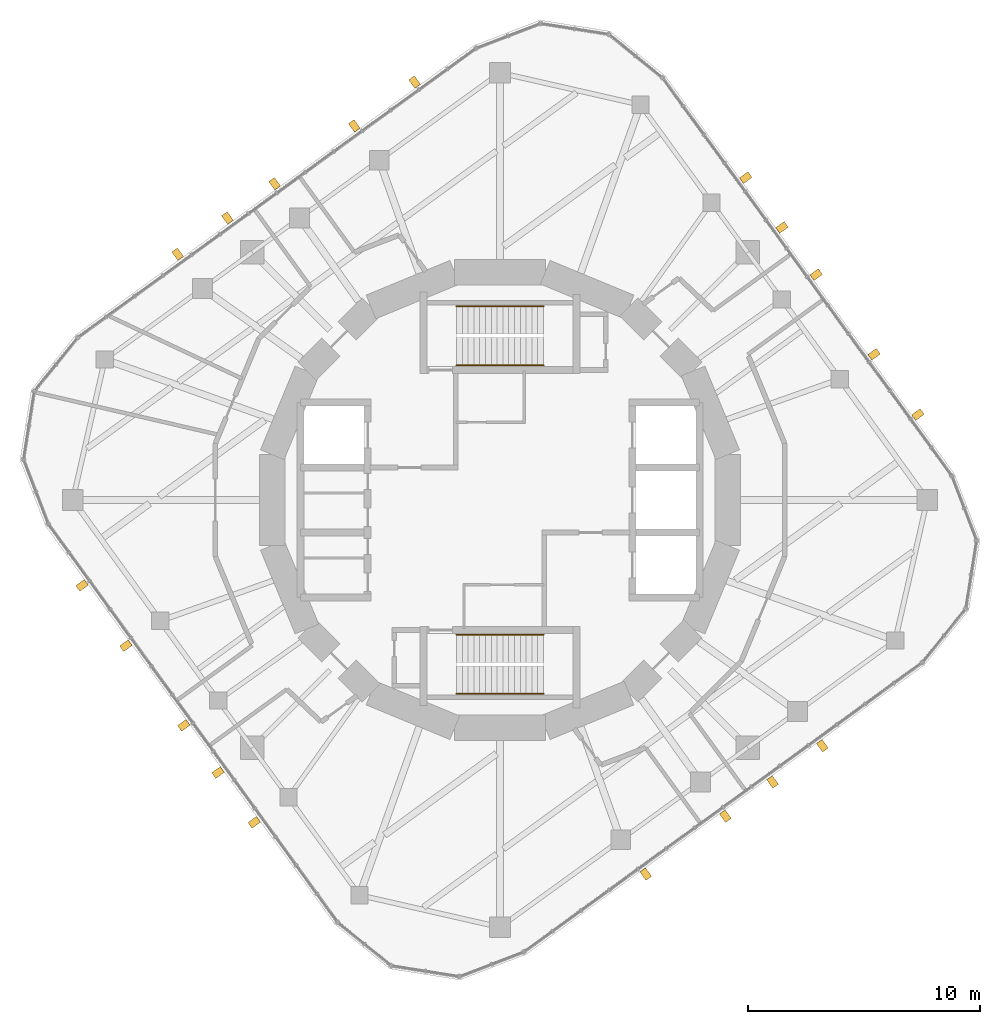
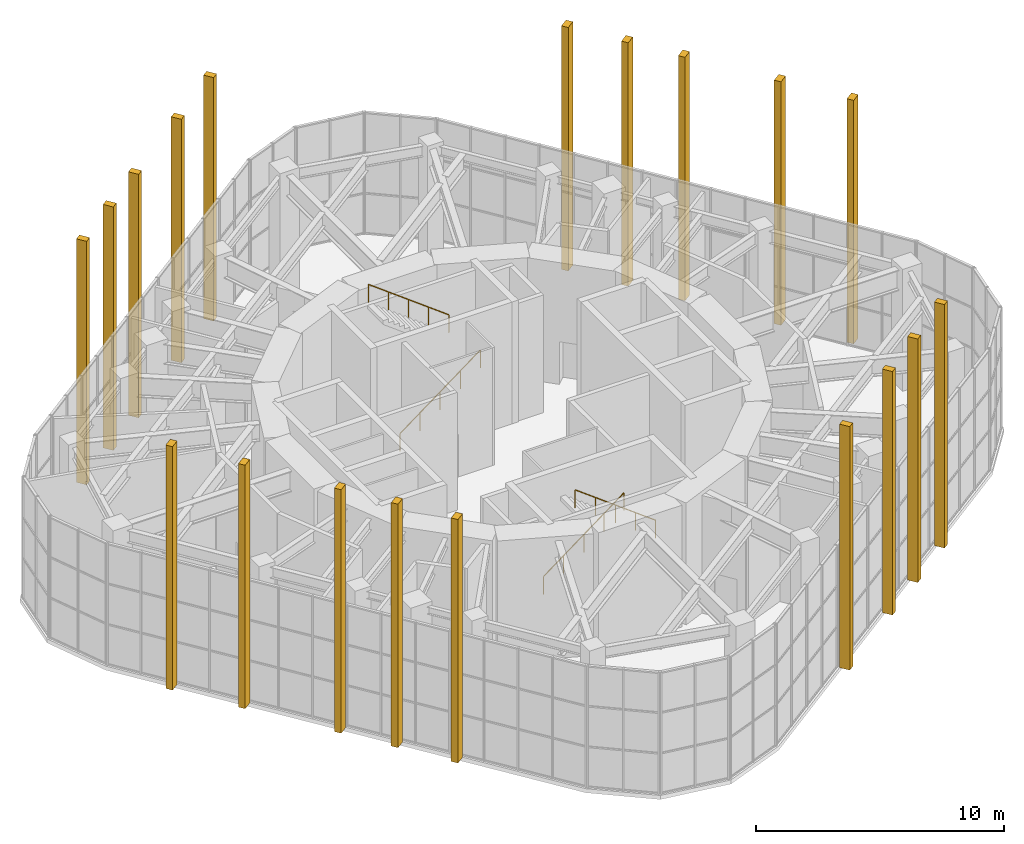
# One storey, part 17 of 17: 19 shading devices, 4 railings.
"""IFC4 building model written with IfcOpenShell, lengths in metres."""

from ifc_helpers import new_model, si_unit, direction, frame, origin, origin_2d, place, context, subcontext, project, spatial, rectangle, circle, extrude, material, type_object, element, save


model = new_model("IFC4")

# Units and contexts
model_context = context("Model", 3, precision=1e-05, world=origin(), true_north=direction((0.0, 1.0)))
body_context = subcontext(model_context, "Body", "Model", "MODEL_VIEW")
ifc_project = project(units=[si_unit("LENGTHUNIT", "METRE"), si_unit("AREAUNIT", "SQUARE_METRE"), si_unit("VOLUMEUNIT", "CUBIC_METRE"), si_unit("PLANEANGLEUNIT", "RADIAN"), si_unit("MASSUNIT", "GRAM", prefix="KILO")], contexts=[model_context])

# Site, building, storey
site_placement = place(None, origin())
site = spatial("IfcSite", under=ifc_project, at=site_placement, CompositionType="ELEMENT")
building_placement = place(site_placement, origin())
building = spatial("IfcBuilding", under=site, at=building_placement, Name="Nakasero Lantern House", CompositionType="ELEMENT")
storey_placement = place(building_placement, frame((0.0, 0.0, 298.39990234375)))
storey = spatial("IfcBuildingStorey", under=building, at=storey_placement, Name="L73", CompositionType="ELEMENT", Elevation=298.39990234375)

# Shading devices
ifc_material_1 = material(Name="Aluminium 6063-T6", Category="aluminium")
shading_device_type = type_object("IfcShadingDeviceType", Name="Lantern rib 450x300", PredefinedType="USERDEFINED", material=ifc_material_1)
for number, where, z_axis, x_axis, name in (
    (1, (18.00048828125, 3.678955078125, 0.0), (0.0, 0.0, 1.0), (0.809016994375, 0.587785252292, 0.0), "Lantern rib 0-00"),
    (2, (16.11279296875, 6.27685546875, 0.0), (0.0, 0.0, 1.0), (0.809016994375, 0.587785252292, 0.0), "Lantern rib 0-01"),
    (3, (13.619873046875, 9.7080078125, 0.0), (0.0, 0.0, 1.0), (0.809016994375, 0.587785252292, 0.0), "Lantern rib 0-02"),
    (4, (12.143798828125, 11.739990234375, 0.0), (0.0, 0.0, 1.0), (0.809016994375, 0.587785252292, 0.0), "Lantern rib 0-03"),
    (5, (10.586181640625, 13.883544921875, 0.0), (0.0, 0.0, 1.0), (0.809016994375, 0.587785252292, 0.0), "Lantern rib 0-04"),
    (6, (-3.678955078125, 18.00048828125, 0.0), (0.0, 0.0, 1.0), (-0.587785252292, 0.809016994375, 0.0), "Lantern rib 1-00"),
    (7, (-6.27685546875, 16.11279296875, 0.0), (0.0, 0.0, 1.0), (-0.587785252292, 0.809016994375, 0.0), "Lantern rib 1-01"),
    (8, (-9.7080078125, 13.619873046875, 0.0), (0.0, 0.0, 1.0), (-0.587785252292, 0.809016994375, 0.0), "Lantern rib 1-02"),
    (9, (-11.739990234375, 12.143798828125, 0.0), (0.0, 0.0, 1.0), (-0.587785252292, 0.809016994375, 0.0), "Lantern rib 1-03"),
    (10, (-13.883544921875, 10.586181640625, 0.0), (0.0, 0.0, 1.0), (-0.587785252292, 0.809016994375, 0.0), "Lantern rib 1-04"),
    (11, (-18.00048828125, -3.678955078125, 0.0), (0.0, 0.0, 1.0), (-0.809016994375, -0.587785252292, 0.0), "Lantern rib 2-00"),
    (12, (-16.11279296875, -6.27685546875, 0.0), (0.0, 0.0, 1.0), (-0.809016994375, -0.587785252292, 0.0), "Lantern rib 2-01"),
    (13, (-13.619873046875, -9.7080078125, 0.0), (0.0, 0.0, 1.0), (-0.809016994375, -0.587785252292, 0.0), "Lantern rib 2-02"),
    (14, (-12.143798828125, -11.739990234375, 0.0), (0.0, 0.0, 1.0), (-0.809016994375, -0.587785252292, 0.0), "Lantern rib 2-03"),
    (15, (-10.586181640625, -13.883544921875, 0.0), (0.0, 0.0, 1.0), (-0.809016994375, -0.587785252292, 0.0), "Lantern rib 2-04"),
    (16, (6.27685546875, -16.11279296875, 0.0), (0.0, 0.0, 1.0), (0.587785252292, -0.809016994375, 0.0), "Lantern rib 3-00"),
    (17, (9.7080078125, -13.619873046875, 0.0), (0.0, 0.0, 1.0), (0.587785252292, -0.809016994375, 0.0), "Lantern rib 3-01"),
    (18, (11.739990234375, -12.143798828125, 0.0), (0.0, 0.0, 1.0), (0.587785252292, -0.809016994375, 0.0), "Lantern rib 3-02"),
    (19, (13.883544921875, -10.586181640625, 0.0), (0.0, 0.0, 1.0), (0.587785252292, -0.809016994375, 0.0), "Lantern rib 3-03"),
):
    element("IfcShadingDevice", number, at=place(storey_placement, frame(where, z_axis=z_axis, x_axis=x_axis)), inside=storey, type_object=shading_device_type, Name=name, ObjectType="LANTERN RIB", PredefinedType="USERDEFINED", context=body_context, shape_type="SweptSolid", body=[
        extrude(rectangle(XDim=0.449951171875, YDim=0.300048828125, at=origin_2d()), origin(), (0.0, 0.0, 1.0), 12.0),
    ])

# Railings
ifc_material_2 = material(Name="Stainless steel 316", Category="steel")
railing_type = type_object("IfcRailingType", Name="Stair handrail 900", PredefinedType="HANDRAIL", material=ifc_material_2)
railing_1_placement = place(storey_placement, frame((-1.875, 5.800048828125, 0.1875)))
element("IfcRailing", 20, at=railing_1_placement, inside=storey, type_object=railing_type, Name="Handrail ST1 L73 flight 1", PredefinedType="HANDRAIL", context=body_context, shape_type="SweptSolid", body=[
    extrude(circle(Radius=0.02392578125, at=origin_2d()), frame((0.0, 0.0, 0.8759765625), z_axis=(0.8, 0.0, 0.6), x_axis=(0.0, 1.0, 0.0)), (0.0, 0.0, 1.0), 4.6875),
    extrude(circle(Radius=0.02099609375, at=origin_2d()), origin(), (0.0, 0.0, 1.0), 0.851806640625),
    extrude(circle(Radius=0.02099609375, at=origin_2d()), frame((0.9375, 0.0, 0.703125)), (0.0, 0.0, 1.0), 0.851806640625),
    extrude(circle(Radius=0.02099609375, at=origin_2d()), frame((1.875, 0.0, 1.40625)), (0.0, 0.0, 1.0), 0.851806640625),
    extrude(circle(Radius=0.02099609375, at=origin_2d()), frame((2.8125, 0.0, 2.109375)), (0.0, 0.0, 1.0), 0.851806640625),
    extrude(circle(Radius=0.02099609375, at=origin_2d()), frame((3.75, 0.0, 2.8125)), (0.0, 0.0, 1.0), 0.851806640625),
])
railing_2_placement = place(storey_placement, frame((1.875, 8.35009765625, 3.1875)))
element("IfcRailing", 21, at=railing_2_placement, inside=storey, type_object=railing_type, Name="Handrail ST1 L73 flight 2", PredefinedType="HANDRAIL", context=body_context, shape_type="SweptSolid", body=[
    extrude(circle(Radius=0.02392578125, at=origin_2d()), frame((0.0, 0.0, 0.8759765625), z_axis=(-0.8, 0.0, 0.6), x_axis=(0.0, -1.0, 0.0)), (0.0, 0.0, 1.0), 4.6875),
    extrude(circle(Radius=0.02099609375, at=origin_2d()), origin(), (0.0, 0.0, 1.0), 0.851806640625),
    extrude(circle(Radius=0.02099609375, at=origin_2d()), frame((-0.9375, 0.0, 0.703125)), (0.0, 0.0, 1.0), 0.851806640625),
    extrude(circle(Radius=0.02099609375, at=origin_2d()), frame((-1.875, 0.0, 1.40625)), (0.0, 0.0, 1.0), 0.851806640625),
    extrude(circle(Radius=0.02099609375, at=origin_2d()), frame((-2.8125, 0.0, 2.109375)), (0.0, 0.0, 1.0), 0.851806640625),
    extrude(circle(Radius=0.02099609375, at=origin_2d()), frame((-3.75, 0.0, 2.8125)), (0.0, 0.0, 1.0), 0.851806640625),
])
railing_3_placement = place(storey_placement, frame((-1.875, -5.800048828125, 0.1875)))
element("IfcRailing", 22, at=railing_3_placement, inside=storey, type_object=railing_type, Name="Handrail ST2 L73 flight 1", PredefinedType="HANDRAIL", context=body_context, shape_type="SweptSolid", body=[
    extrude(circle(Radius=0.02392578125, at=origin_2d()), frame((0.0, 0.0, 0.8759765625), z_axis=(0.8, 0.0, 0.6), x_axis=(0.0, 1.0, 0.0)), (0.0, 0.0, 1.0), 4.6875),
    extrude(circle(Radius=0.02099609375, at=origin_2d()), origin(), (0.0, 0.0, 1.0), 0.851806640625),
    extrude(circle(Radius=0.02099609375, at=origin_2d()), frame((0.9375, 0.0, 0.703125)), (0.0, 0.0, 1.0), 0.851806640625),
    extrude(circle(Radius=0.02099609375, at=origin_2d()), frame((1.875, 0.0, 1.40625)), (0.0, 0.0, 1.0), 0.851806640625),
    extrude(circle(Radius=0.02099609375, at=origin_2d()), frame((2.8125, 0.0, 2.109375)), (0.0, 0.0, 1.0), 0.851806640625),
    extrude(circle(Radius=0.02099609375, at=origin_2d()), frame((3.75, 0.0, 2.8125)), (0.0, 0.0, 1.0), 0.851806640625),
])
railing_4_placement = place(storey_placement, frame((1.875, -8.35009765625, 3.1875)))
element("IfcRailing", 23, at=railing_4_placement, inside=storey, type_object=railing_type, Name="Handrail ST2 L73 flight 2", PredefinedType="HANDRAIL", context=body_context, shape_type="SweptSolid", body=[
    extrude(circle(Radius=0.02392578125, at=origin_2d()), frame((0.0, 0.0, 0.8759765625), z_axis=(-0.8, 0.0, 0.6), x_axis=(0.0, -1.0, 0.0)), (0.0, 0.0, 1.0), 4.6875),
    extrude(circle(Radius=0.02099609375, at=origin_2d()), origin(), (0.0, 0.0, 1.0), 0.851806640625),
    extrude(circle(Radius=0.02099609375, at=origin_2d()), frame((-0.9375, 0.0, 0.703125)), (0.0, 0.0, 1.0), 0.851806640625),
    extrude(circle(Radius=0.02099609375, at=origin_2d()), frame((-1.875, 0.0, 1.40625)), (0.0, 0.0, 1.0), 0.851806640625),
    extrude(circle(Radius=0.02099609375, at=origin_2d()), frame((-2.8125, 0.0, 2.109375)), (0.0, 0.0, 1.0), 0.851806640625),
    extrude(circle(Radius=0.02099609375, at=origin_2d()), frame((-3.75, 0.0, 2.8125)), (0.0, 0.0, 1.0), 0.851806640625),
])

save(model, "model.ifc")
